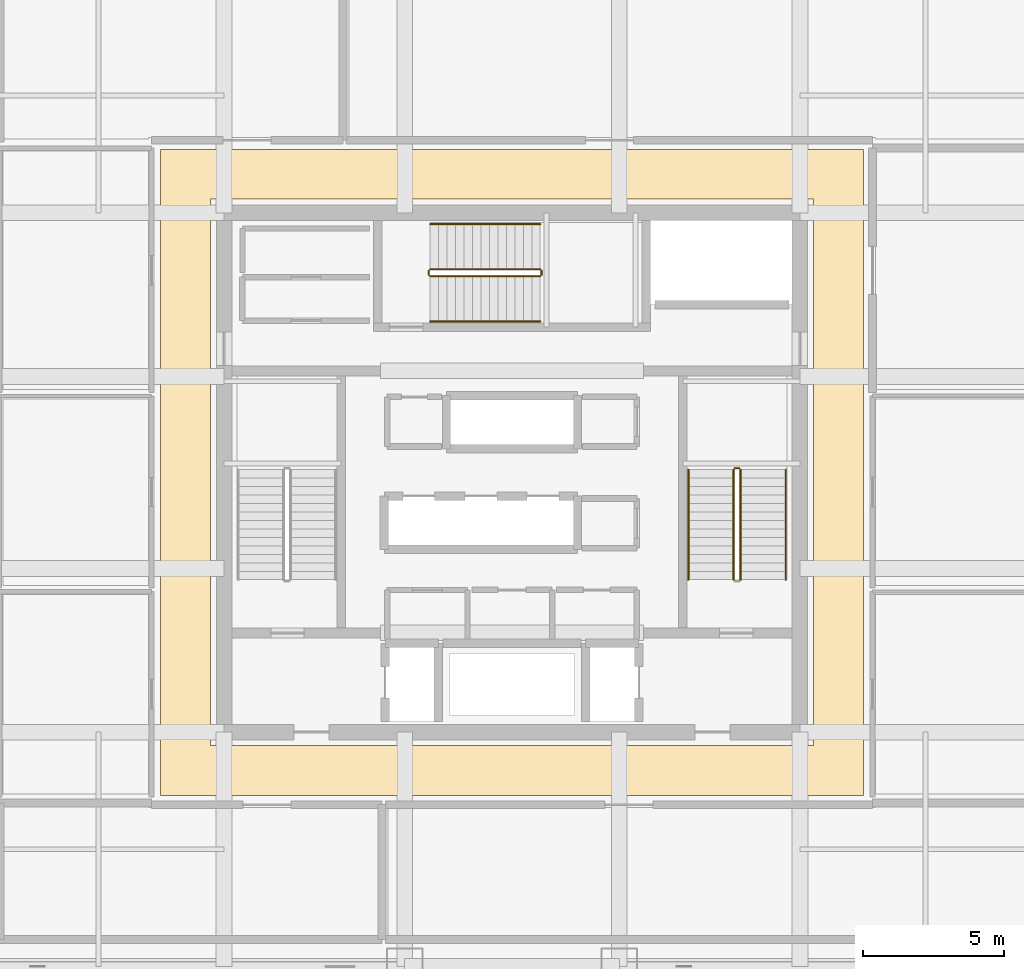
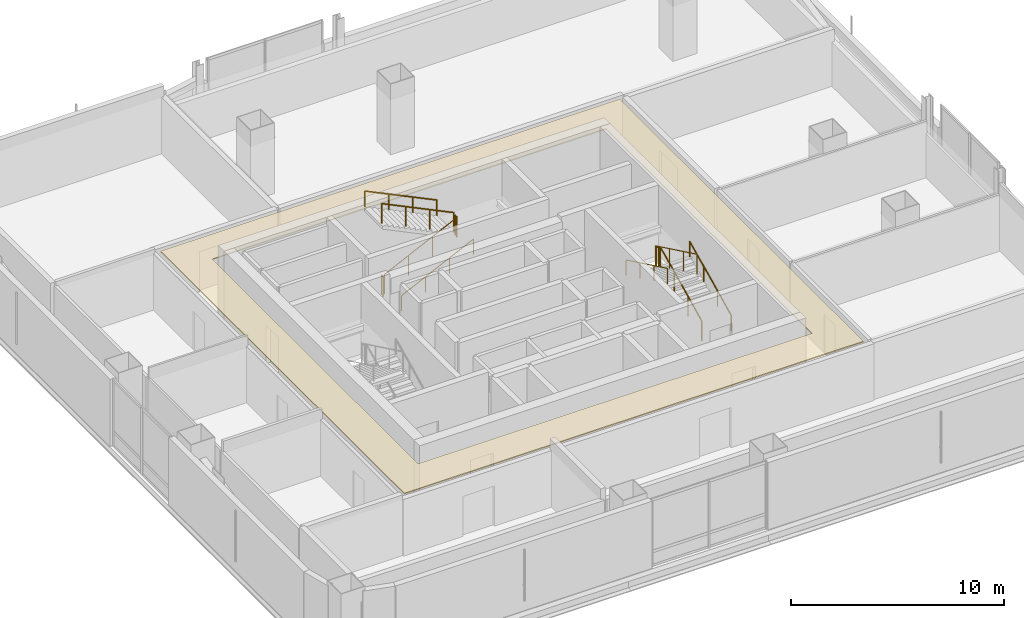
# One storey, part 25 of 30: 11 railings, 1 covering.
"""IFC4 building model written with IfcOpenShell, lengths in metres."""

from ifc_helpers import new_model, si_unit, direction, frame, origin, origin_2d, place, context, subcontext, project, spatial, polyline, circle, outline, extrude, material, layer, layer_set, type_object, element, save


model = new_model("IFC4")

# Units and contexts
model_context = context("Model", 3, precision=1e-05, world=origin(), true_north=direction((0.0, 1.0)))
body_context = subcontext(model_context, "Body", "Model", "MODEL_VIEW")
ifc_project = project(units=[si_unit("LENGTHUNIT", "METRE"), si_unit("AREAUNIT", "SQUARE_METRE"), si_unit("VOLUMEUNIT", "CUBIC_METRE"), si_unit("PLANEANGLEUNIT", "RADIAN"), si_unit("MASSUNIT", "GRAM", prefix="KILO")], contexts=[model_context])

# Site, building, storey
site_placement = place(None, origin())
site = spatial("IfcSite", under=ifc_project, at=site_placement, CompositionType="ELEMENT")
building_placement = place(site_placement, origin())
building = spatial("IfcBuilding", under=site, at=building_placement, Name="Punatoya Terracotta Tower", CompositionType="ELEMENT")
storey_placement = place(building_placement, frame((0.0, 0.0, 251.39990234375)))
storey = spatial("IfcBuildingStorey", under=building, at=storey_placement, Name="L59", CompositionType="ELEMENT", Elevation=251.39990234375)

# Covering
ifc_material_1 = material(Name="Acoustic Mineral Fibre Ceiling")
ifc_layer = layer(ifc_material_1, 0.06005859375)
ifc_layer_set = layer_set([ifc_layer], Name="Acoustic Mineral Fibre Ceiling")
covering_type = type_object("IfcCoveringType", Name="COV-CEIL-60", PredefinedType="CEILING", material=ifc_layer_set)
covering_placement = place(storey_placement, frame((0.0, 0.0, 3.16015625)))
element("IfcCovering", 1, at=covering_placement, inside=storey, type_object=covering_type, Name="L59 Loop Circulation Corridor Acoustic Ceiling", PredefinedType="CEILING", context=body_context, shape_type="SweptSolid", body=[
    extrude(outline(polyline([(-12.449951171875, 11.449951171875), (-12.449951171875, -11.449951171875), (12.449951171875, -11.449951171875), (12.449951171875, 11.449951171875), (-12.449951171875, 11.449951171875)]), holes=[polyline([(-10.679931640625, 9.679931640625), (10.679931640625, 9.679931640625), (10.679931640625, -9.679931640625), (-10.679931640625, -9.679931640625), (-10.679931640625, 9.679931640625)])]), origin(), (0.0, 0.0, 1.0), 0.06005859375),
])

# Railings
ifc_material_2 = material(Name="Steel S355", Category="steel")
railing_type_1 = type_object("IfcRailingType", Name="RLG-GRD-1150", PredefinedType="GUARDRAIL", material=ifc_material_2)
railing_1_placement = place(storey_placement, frame((8.10009765625, -3.800048828125, 0.144775390625)))
element("IfcRailing", 2, at=railing_1_placement, inside=storey, type_object=railing_type_1, Name="L59 ST-2 stair guard 1", PredefinedType="GUARDRAIL", context=body_context, shape_type="SweptSolid", body=[
    extrude(circle(Radius=0.02392578125, at=origin_2d()), frame((0.0, 0.0, 1.1259765625), z_axis=(0.0, 0.900773802044, 0.434288564841), x_axis=(-1.0, 0.0, 0.0)), (0.0, 0.0, 1.0), 4.329833984375),
    extrude(circle(Radius=0.02099609375, at=origin_2d()), origin(), (0.0, 0.0, 1.0), 1.101806640625),
    extrude(circle(Radius=0.02099609375, at=origin_2d()), frame((0.0, 1.300048828125, 0.626708984375)), (0.0, 0.0, 1.0), 1.101806640625),
    extrude(circle(Radius=0.02099609375, at=origin_2d()), frame((0.0, 2.60009765625, 1.253662109375)), (0.0, 0.0, 1.0), 1.101806640625),
    extrude(circle(Radius=0.02099609375, at=origin_2d()), frame((0.0, 3.900146484375, 1.88037109375)), (0.0, 0.0, 1.0), 1.101806640625),
])
railing_2_placement = place(storey_placement, frame((8.050048828125, 0.14990234375, 2.025146484375)))
element("IfcRailing", 3, at=railing_2_placement, inside=storey, type_object=railing_type_1, Name="L59 ST-2 stair guard 2", PredefinedType="GUARDRAIL", context=body_context, shape_type="SweptSolid", body=[
    extrude(circle(Radius=0.02392578125, at=origin_2d()), frame((0.0, 0.0, 1.1259765625), z_axis=(-1.0, 0.0, 0.0), x_axis=(0.0, -1.0, 0.0)), (0.0, 0.0, 1.0), 0.150146484375),
    extrude(circle(Radius=0.02099609375, at=origin_2d()), origin(), (0.0, 0.0, 1.0), 1.101806640625),
    extrude(circle(Radius=0.02099609375, at=origin_2d()), frame((-0.150146484375, 0.0, 0.0)), (0.0, 0.0, 1.0), 1.101806640625),
])
railing_3_placement = place(storey_placement, frame((7.85009765625, 0.10009765625, 2.169677734375)))
element("IfcRailing", 4, at=railing_3_placement, inside=storey, type_object=railing_type_1, Name="L59 ST-2 stair guard 3", PredefinedType="GUARDRAIL", context=body_context, shape_type="SweptSolid", body=[
    extrude(circle(Radius=0.02392578125, at=origin_2d()), frame((0.0, 0.0, 1.1259765625), z_axis=(0.0, -0.900773802044, 0.434288564841), x_axis=(1.0, 0.0, 0.0)), (0.0, 0.0, 1.0), 4.329833984375),
    extrude(circle(Radius=0.02099609375, at=origin_2d()), origin(), (0.0, 0.0, 1.0), 1.101806640625),
    extrude(circle(Radius=0.02099609375, at=origin_2d()), frame((0.0, -1.300048828125, 0.626708984375)), (0.0, 0.0, 1.0), 1.101806640625),
    extrude(circle(Radius=0.02099609375, at=origin_2d()), frame((0.0, -2.60009765625, 1.253662109375)), (0.0, 0.0, 1.0), 1.101806640625),
    extrude(circle(Radius=0.02099609375, at=origin_2d()), frame((0.0, -3.900146484375, 1.88037109375)), (0.0, 0.0, 1.0), 1.101806640625),
])
railing_4_placement = place(storey_placement, frame((-2.89990234375, 6.949951171875, 0.144775390625)))
element("IfcRailing", 5, at=railing_4_placement, inside=storey, type_object=railing_type_1, Name="L59 ST-3 stair guard 1", PredefinedType="GUARDRAIL", context=body_context, shape_type="SweptSolid", body=[
    extrude(circle(Radius=0.02392578125, at=origin_2d()), frame((0.0, 0.0, 1.1259765625), z_axis=(0.900763166376, 0.0, 0.434310623978), x_axis=(0.0, 1.0, 0.0)), (0.0, 0.0, 1.0), 4.32958984375),
    extrude(circle(Radius=0.02099609375, at=origin_2d()), origin(), (0.0, 0.0, 1.0), 1.101806640625),
    extrude(circle(Radius=0.02099609375, at=origin_2d()), frame((1.300048828125, 0.0, 0.626708984375)), (0.0, 0.0, 1.0), 1.101806640625),
    extrude(circle(Radius=0.02099609375, at=origin_2d()), frame((2.599853515625, 0.0, 1.253662109375)), (0.0, 0.0, 1.0), 1.101806640625),
    extrude(circle(Radius=0.02099609375, at=origin_2d()), frame((3.89990234375, 0.0, 1.88037109375)), (0.0, 0.0, 1.0), 1.101806640625),
])
railing_5_placement = place(storey_placement, frame((1.050048828125, 7.0, 2.025146484375)))
element("IfcRailing", 6, at=railing_5_placement, inside=storey, type_object=railing_type_1, Name="L59 ST-3 stair guard 2", PredefinedType="GUARDRAIL", context=body_context, shape_type="SweptSolid", body=[
    extrude(circle(Radius=0.02392578125, at=origin_2d()), frame((0.0, 0.0, 1.1259765625), z_axis=(0.0, 1.0, 0.0), x_axis=(-1.0, 0.0, 0.0)), (0.0, 0.0, 1.0), 0.14990234375),
    extrude(circle(Radius=0.02099609375, at=origin_2d()), origin(), (0.0, 0.0, 1.0), 1.101806640625),
    extrude(circle(Radius=0.02099609375, at=origin_2d()), frame((0.0, 0.14990234375, 0.0)), (0.0, 0.0, 1.0), 1.101806640625),
])
railing_6_placement = place(storey_placement, frame((1.0, 7.199951171875, 2.169677734375)))
element("IfcRailing", 7, at=railing_6_placement, inside=storey, type_object=railing_type_1, Name="L59 ST-3 stair guard 3", PredefinedType="GUARDRAIL", context=body_context, shape_type="SweptSolid", body=[
    extrude(circle(Radius=0.02392578125, at=origin_2d()), frame((0.0, 0.0, 1.1259765625), z_axis=(-0.900763166376, 0.0, 0.434310623978), x_axis=(0.0, -1.0, 0.0)), (0.0, 0.0, 1.0), 4.32958984375),
    extrude(circle(Radius=0.02099609375, at=origin_2d()), origin(), (0.0, 0.0, 1.0), 1.101806640625),
    extrude(circle(Radius=0.02099609375, at=origin_2d()), frame((-1.300048828125, 0.0, 0.626708984375)), (0.0, 0.0, 1.0), 1.101806640625),
    extrude(circle(Radius=0.02099609375, at=origin_2d()), frame((-2.599853515625, 0.0, 1.253662109375)), (0.0, 0.0, 1.0), 1.101806640625),
    extrude(circle(Radius=0.02099609375, at=origin_2d()), frame((-3.89990234375, 0.0, 1.88037109375)), (0.0, 0.0, 1.0), 1.101806640625),
])
railing_7_placement = place(storey_placement, frame((-2.949951171875, 7.0, 0.0)))
element("IfcRailing", 8, at=railing_7_placement, inside=storey, type_object=railing_type_1, Name="L59 ST-3 stair guard 4", PredefinedType="GUARDRAIL", context=body_context, shape_type="SweptSolid", body=[
    extrude(circle(Radius=0.02392578125, at=origin_2d()), frame((0.0, 0.0, 1.1259765625), z_axis=(0.0, 1.0, 0.0), x_axis=(-1.0, 0.0, 0.0)), (0.0, 0.0, 1.0), 0.14990234375),
    extrude(circle(Radius=0.02099609375, at=origin_2d()), origin(), (0.0, 0.0, 1.0), 1.101806640625),
    extrude(circle(Radius=0.02099609375, at=origin_2d()), frame((0.0, 0.14990234375, 0.0)), (0.0, 0.0, 1.0), 1.101806640625),
])
railing_type_2 = type_object("IfcRailingType", Name="RLG-HND-900", PredefinedType="HANDRAIL", material=ifc_material_2)
railing_8_placement = place(storey_placement, frame((9.699951171875, -3.800048828125, 0.144775390625)))
element("IfcRailing", 9, at=railing_8_placement, inside=storey, type_object=railing_type_2, Name="L59 ST-2 stair handrail 1", PredefinedType="HANDRAIL", context=body_context, shape_type="SweptSolid", body=[
    extrude(circle(Radius=0.02392578125, at=origin_2d()), frame((0.0, 0.0, 0.8759765625), z_axis=(0.0, 0.900773802044, 0.434288564841), x_axis=(-1.0, 0.0, 0.0)), (0.0, 0.0, 1.0), 4.329833984375),
    extrude(circle(Radius=0.02099609375, at=origin_2d()), origin(), (0.0, 0.0, 1.0), 0.851806640625),
    extrude(circle(Radius=0.02099609375, at=origin_2d()), frame((0.0, 1.300048828125, 0.626708984375)), (0.0, 0.0, 1.0), 0.851806640625),
    extrude(circle(Radius=0.02099609375, at=origin_2d()), frame((0.0, 2.60009765625, 1.253662109375)), (0.0, 0.0, 1.0), 0.851806640625),
    extrude(circle(Radius=0.02099609375, at=origin_2d()), frame((0.0, 3.900146484375, 1.88037109375)), (0.0, 0.0, 1.0), 0.851806640625),
])
railing_9_placement = place(storey_placement, frame((6.25, 0.10009765625, 2.169677734375)))
element("IfcRailing", 10, at=railing_9_placement, inside=storey, type_object=railing_type_2, Name="L59 ST-2 stair handrail 2", PredefinedType="HANDRAIL", context=body_context, shape_type="SweptSolid", body=[
    extrude(circle(Radius=0.02392578125, at=origin_2d()), frame((0.0, 0.0, 0.8759765625), z_axis=(0.0, -0.900773802044, 0.434288564841), x_axis=(1.0, 0.0, 0.0)), (0.0, 0.0, 1.0), 4.329833984375),
    extrude(circle(Radius=0.02099609375, at=origin_2d()), origin(), (0.0, 0.0, 1.0), 0.851806640625),
    extrude(circle(Radius=0.02099609375, at=origin_2d()), frame((0.0, -1.300048828125, 0.626708984375)), (0.0, 0.0, 1.0), 0.851806640625),
    extrude(circle(Radius=0.02099609375, at=origin_2d()), frame((0.0, -2.60009765625, 1.253662109375)), (0.0, 0.0, 1.0), 0.851806640625),
    extrude(circle(Radius=0.02099609375, at=origin_2d()), frame((0.0, -3.900146484375, 1.88037109375)), (0.0, 0.0, 1.0), 0.851806640625),
])
railing_10_placement = place(storey_placement, frame((-2.89990234375, 5.35009765625, 0.144775390625)))
element("IfcRailing", 11, at=railing_10_placement, inside=storey, type_object=railing_type_2, Name="L59 ST-3 stair handrail 1", PredefinedType="HANDRAIL", context=body_context, shape_type="SweptSolid", body=[
    extrude(circle(Radius=0.02392578125, at=origin_2d()), frame((0.0, 0.0, 0.8759765625), z_axis=(0.900763166376, 0.0, 0.434310623978), x_axis=(0.0, 1.0, 0.0)), (0.0, 0.0, 1.0), 4.32958984375),
    extrude(circle(Radius=0.02099609375, at=origin_2d()), origin(), (0.0, 0.0, 1.0), 0.851806640625),
    extrude(circle(Radius=0.02099609375, at=origin_2d()), frame((1.300048828125, 0.0, 0.626708984375)), (0.0, 0.0, 1.0), 0.851806640625),
    extrude(circle(Radius=0.02099609375, at=origin_2d()), frame((2.599853515625, 0.0, 1.253662109375)), (0.0, 0.0, 1.0), 0.851806640625),
    extrude(circle(Radius=0.02099609375, at=origin_2d()), frame((3.89990234375, 0.0, 1.88037109375)), (0.0, 0.0, 1.0), 0.851806640625),
])
railing_11_placement = place(storey_placement, frame((1.0, 8.800048828125, 2.169677734375)))
element("IfcRailing", 12, at=railing_11_placement, inside=storey, type_object=railing_type_2, Name="L59 ST-3 stair handrail 2", PredefinedType="HANDRAIL", context=body_context, shape_type="SweptSolid", body=[
    extrude(circle(Radius=0.02392578125, at=origin_2d()), frame((0.0, 0.0, 0.8759765625), z_axis=(-0.900763166376, 0.0, 0.434310623978), x_axis=(0.0, -1.0, 0.0)), (0.0, 0.0, 1.0), 4.32958984375),
    extrude(circle(Radius=0.02099609375, at=origin_2d()), origin(), (0.0, 0.0, 1.0), 0.851806640625),
    extrude(circle(Radius=0.02099609375, at=origin_2d()), frame((-1.300048828125, 0.0, 0.626708984375)), (0.0, 0.0, 1.0), 0.851806640625),
    extrude(circle(Radius=0.02099609375, at=origin_2d()), frame((-2.599853515625, 0.0, 1.253662109375)), (0.0, 0.0, 1.0), 0.851806640625),
    extrude(circle(Radius=0.02099609375, at=origin_2d()), frame((-3.89990234375, 0.0, 1.88037109375)), (0.0, 0.0, 1.0), 0.851806640625),
])

save(model, "model.ifc")
